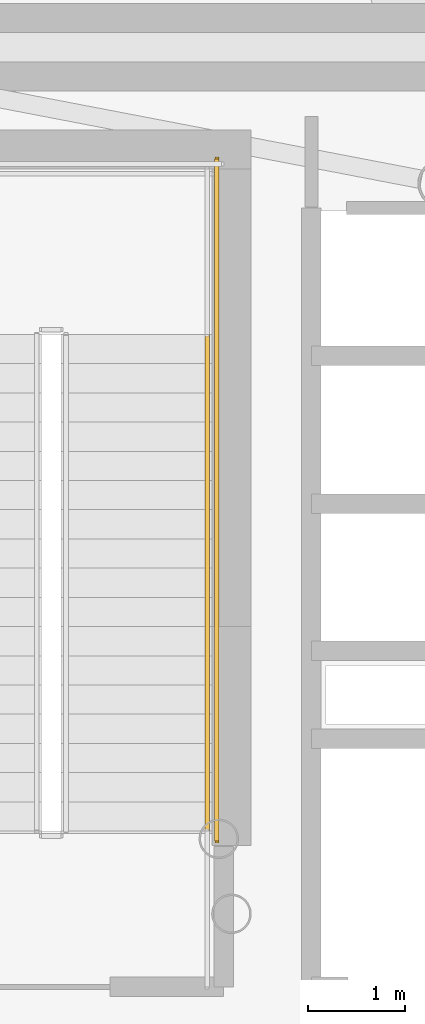
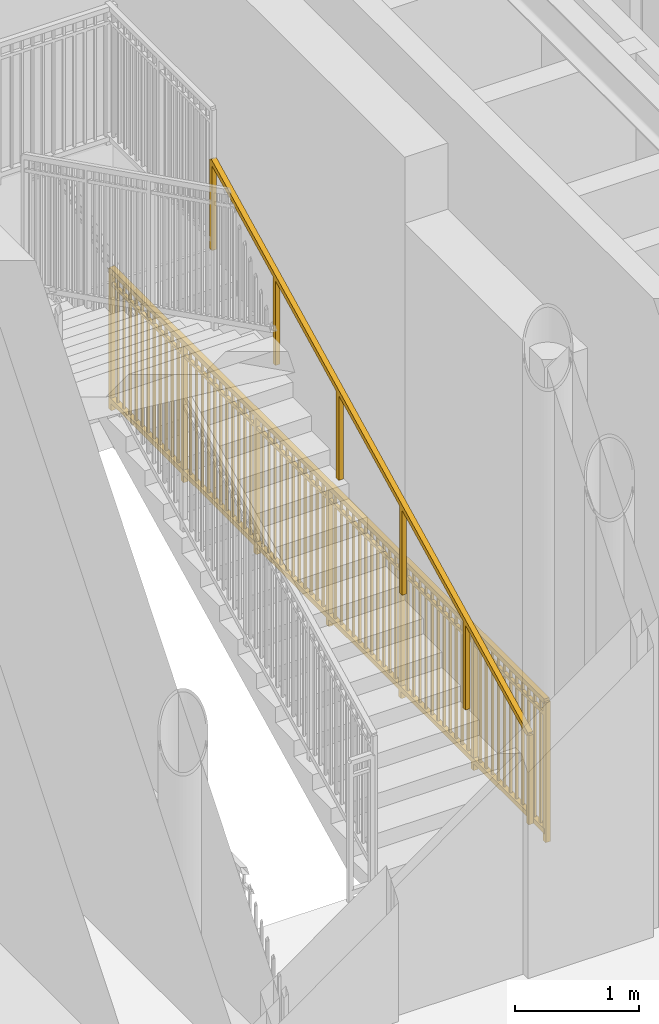
# One storey, part 32 of 39: 2 railings.
"""IFC4 building model written with IfcOpenShell, lengths in metres."""

from ifc_helpers import new_model, si_unit, direction, frame, origin, origin_2d, place, context, subcontext, project, spatial, rectangle, extrude, source, transform, mapped, material, type_object, element, save


model = new_model("IFC4")

# Units and contexts
model_context = context("Model", 3, precision=1e-05, world=origin(), true_north=direction((0.0, 1.0)))
body_context = subcontext(model_context, "Body", "Model", "MODEL_VIEW")
ifc_project = project(units=[si_unit("LENGTHUNIT", "METRE"), si_unit("AREAUNIT", "SQUARE_METRE"), si_unit("VOLUMEUNIT", "CUBIC_METRE"), si_unit("PLANEANGLEUNIT", "RADIAN"), si_unit("MASSUNIT", "GRAM", prefix="KILO")], contexts=[model_context])

# Site, building, storey
site_placement = place(None, origin())
site = spatial("IfcSite", under=ifc_project, at=site_placement, CompositionType="ELEMENT")
building_placement = place(site_placement, origin())
building = spatial("IfcBuilding", under=site, at=building_placement, Name="Linh Dai School and Residence Tower", CompositionType="ELEMENT")
storey_placement = place(building_placement, frame((0.0, 0.0, 27.0)))
storey = spatial("IfcBuildingStorey", under=building, at=storey_placement, Name="L06", CompositionType="ELEMENT", Elevation=27.0)

# Railings
ifc_material_1 = material(Name="Structural Steel S355JR", Category="steel")
railing_type_1 = type_object("IfcRailingType", Name="RL-ST-GUARD-1400", PredefinedType="GUARDRAIL", material=ifc_material_1)
shared_shape_1 = source(origin(), body_context, "Body", "SweptSolid", [
    extrude(rectangle(XDim=0.048095703125, YDim=0.048095703125, at=origin_2d()), frame((0.0, 0.0, 1.3759765625), z_axis=(0.0, 1.0, 0.0), x_axis=(-1.0, 0.0, 0.0)), (0.0, 0.0, 1.0), 7.0),
    extrude(rectangle(XDim=0.048095703125, YDim=0.048095703125, at=origin_2d()), frame((0.0, 0.0, 0.10009765625), z_axis=(0.0, 1.0, 0.0), x_axis=(-1.0, 0.0, 0.0)), (0.0, 0.0, 1.0), 7.0),
    extrude(rectangle(XDim=0.030029296875, YDim=0.030029296875, at=origin_2d()), frame((0.0, 0.0, 1.239990234375), z_axis=(0.0, 1.0, 0.0), x_axis=(-1.0, 0.0, 0.0)), (0.0, 0.0, 1.0), 7.0),
    extrude(rectangle(XDim=0.02001953125, YDim=0.02001953125, at=origin_2d()), frame((0.0, 0.09716796875, 0.10009765625)), (0.0, 0.0, 1.0), 1.251708984375),
    extrude(rectangle(XDim=0.02001953125, YDim=0.02001953125, at=origin_2d()), frame((0.0, 0.1943359375, 0.10009765625)), (0.0, 0.0, 1.0), 1.251708984375),
    extrude(rectangle(XDim=0.02001953125, YDim=0.02001953125, at=origin_2d()), frame((0.0, 0.291748046875, 0.10009765625)), (0.0, 0.0, 1.0), 1.251708984375),
    extrude(rectangle(XDim=0.02001953125, YDim=0.02001953125, at=origin_2d()), frame((0.0, 0.388916015625, 0.10009765625)), (0.0, 0.0, 1.0), 1.251708984375),
    extrude(rectangle(XDim=0.02001953125, YDim=0.02001953125, at=origin_2d()), frame((0.0, 0.486083984375, 0.10009765625)), (0.0, 0.0, 1.0), 1.251708984375),
    extrude(rectangle(XDim=0.02001953125, YDim=0.02001953125, at=origin_2d()), frame((0.0, 0.583251953125, 0.10009765625)), (0.0, 0.0, 1.0), 1.251708984375),
    extrude(rectangle(XDim=0.02001953125, YDim=0.02001953125, at=origin_2d()), frame((0.0, 0.6806640625, 0.10009765625)), (0.0, 0.0, 1.0), 1.251708984375),
    extrude(rectangle(XDim=0.02001953125, YDim=0.02001953125, at=origin_2d()), frame((0.0, 0.77783203125, 0.10009765625)), (0.0, 0.0, 1.0), 1.251708984375),
    extrude(rectangle(XDim=0.02001953125, YDim=0.02001953125, at=origin_2d()), frame((0.0, 0.875, 0.10009765625)), (0.0, 0.0, 1.0), 1.251708984375),
    extrude(rectangle(XDim=0.02001953125, YDim=0.02001953125, at=origin_2d()), frame((0.0, 0.97216796875, 0.10009765625)), (0.0, 0.0, 1.0), 1.251708984375),
    extrude(rectangle(XDim=0.02001953125, YDim=0.02001953125, at=origin_2d()), frame((0.0, 1.0693359375, 0.10009765625)), (0.0, 0.0, 1.0), 1.251708984375),
    extrude(rectangle(XDim=0.02001953125, YDim=0.02001953125, at=origin_2d()), frame((0.0, 1.263916015625, 0.10009765625)), (0.0, 0.0, 1.0), 1.251708984375),
    extrude(rectangle(XDim=0.02001953125, YDim=0.02001953125, at=origin_2d()), frame((0.0, 1.361083984375, 0.10009765625)), (0.0, 0.0, 1.0), 1.251708984375),
    extrude(rectangle(XDim=0.02001953125, YDim=0.02001953125, at=origin_2d()), frame((0.0, 1.458251953125, 0.10009765625)), (0.0, 0.0, 1.0), 1.251708984375),
    extrude(rectangle(XDim=0.02001953125, YDim=0.02001953125, at=origin_2d()), frame((0.0, 1.5556640625, 0.10009765625)), (0.0, 0.0, 1.0), 1.251708984375),
    extrude(rectangle(XDim=0.02001953125, YDim=0.02001953125, at=origin_2d()), frame((0.0, 1.65283203125, 0.10009765625)), (0.0, 0.0, 1.0), 1.251708984375),
    extrude(rectangle(XDim=0.02001953125, YDim=0.02001953125, at=origin_2d()), frame((0.0, 1.75, 0.10009765625)), (0.0, 0.0, 1.0), 1.251708984375),
    extrude(rectangle(XDim=0.02001953125, YDim=0.02001953125, at=origin_2d()), frame((0.0, 1.84716796875, 0.10009765625)), (0.0, 0.0, 1.0), 1.251708984375),
    extrude(rectangle(XDim=0.02001953125, YDim=0.02001953125, at=origin_2d()), frame((0.0, 1.9443359375, 0.10009765625)), (0.0, 0.0, 1.0), 1.251708984375),
    extrude(rectangle(XDim=0.02001953125, YDim=0.02001953125, at=origin_2d()), frame((0.0, 2.041748046875, 0.10009765625)), (0.0, 0.0, 1.0), 1.251708984375),
    extrude(rectangle(XDim=0.02001953125, YDim=0.02001953125, at=origin_2d()), frame((0.0, 2.138916015625, 0.10009765625)), (0.0, 0.0, 1.0), 1.251708984375),
    extrude(rectangle(XDim=0.02001953125, YDim=0.02001953125, at=origin_2d()), frame((0.0, 2.236083984375, 0.10009765625)), (0.0, 0.0, 1.0), 1.251708984375),
    extrude(rectangle(XDim=0.02001953125, YDim=0.02001953125, at=origin_2d()), frame((0.0, 2.4306640625, 0.10009765625)), (0.0, 0.0, 1.0), 1.251708984375),
    extrude(rectangle(XDim=0.02001953125, YDim=0.02001953125, at=origin_2d()), frame((0.0, 2.52783203125, 0.10009765625)), (0.0, 0.0, 1.0), 1.251708984375),
    extrude(rectangle(XDim=0.02001953125, YDim=0.02001953125, at=origin_2d()), frame((0.0, 2.625, 0.10009765625)), (0.0, 0.0, 1.0), 1.251708984375),
    extrude(rectangle(XDim=0.02001953125, YDim=0.02001953125, at=origin_2d()), frame((0.0, 2.72216796875, 0.10009765625)), (0.0, 0.0, 1.0), 1.251708984375),
    extrude(rectangle(XDim=0.02001953125, YDim=0.02001953125, at=origin_2d()), frame((0.0, 2.8193359375, 0.10009765625)), (0.0, 0.0, 1.0), 1.251708984375),
    extrude(rectangle(XDim=0.02001953125, YDim=0.02001953125, at=origin_2d()), frame((0.0, 2.916748046875, 0.10009765625)), (0.0, 0.0, 1.0), 1.251708984375),
    extrude(rectangle(XDim=0.02001953125, YDim=0.02001953125, at=origin_2d()), frame((0.0, 3.013916015625, 0.10009765625)), (0.0, 0.0, 1.0), 1.251708984375),
    extrude(rectangle(XDim=0.02001953125, YDim=0.02001953125, at=origin_2d()), frame((0.0, 3.111083984375, 0.10009765625)), (0.0, 0.0, 1.0), 1.251708984375),
    extrude(rectangle(XDim=0.02001953125, YDim=0.02001953125, at=origin_2d()), frame((0.0, 3.208251953125, 0.10009765625)), (0.0, 0.0, 1.0), 1.251708984375),
    extrude(rectangle(XDim=0.02001953125, YDim=0.02001953125, at=origin_2d()), frame((0.0, 3.3056640625, 0.10009765625)), (0.0, 0.0, 1.0), 1.251708984375),
    extrude(rectangle(XDim=0.02001953125, YDim=0.02001953125, at=origin_2d()), frame((0.0, 3.40283203125, 0.10009765625)), (0.0, 0.0, 1.0), 1.251708984375),
    extrude(rectangle(XDim=0.02001953125, YDim=0.02001953125, at=origin_2d()), frame((0.0, 3.59716796875, 0.10009765625)), (0.0, 0.0, 1.0), 1.251708984375),
    extrude(rectangle(XDim=0.02001953125, YDim=0.02001953125, at=origin_2d()), frame((0.0, 3.6943359375, 0.10009765625)), (0.0, 0.0, 1.0), 1.251708984375),
    extrude(rectangle(XDim=0.02001953125, YDim=0.02001953125, at=origin_2d()), frame((0.0, 3.791748046875, 0.10009765625)), (0.0, 0.0, 1.0), 1.251708984375),
    extrude(rectangle(XDim=0.02001953125, YDim=0.02001953125, at=origin_2d()), frame((0.0, 3.888916015625, 0.10009765625)), (0.0, 0.0, 1.0), 1.251708984375),
    extrude(rectangle(XDim=0.02001953125, YDim=0.02001953125, at=origin_2d()), frame((0.0, 3.986083984375, 0.10009765625)), (0.0, 0.0, 1.0), 1.251708984375),
    extrude(rectangle(XDim=0.02001953125, YDim=0.02001953125, at=origin_2d()), frame((0.0, 4.083251953125, 0.10009765625)), (0.0, 0.0, 1.0), 1.251708984375),
    extrude(rectangle(XDim=0.02001953125, YDim=0.02001953125, at=origin_2d()), frame((0.0, 4.1806640625, 0.10009765625)), (0.0, 0.0, 1.0), 1.251708984375),
    extrude(rectangle(XDim=0.02001953125, YDim=0.02001953125, at=origin_2d()), frame((0.0, 4.27783203125, 0.10009765625)), (0.0, 0.0, 1.0), 1.251708984375),
    extrude(rectangle(XDim=0.02001953125, YDim=0.02001953125, at=origin_2d()), frame((0.0, 4.375, 0.10009765625)), (0.0, 0.0, 1.0), 1.251708984375),
    extrude(rectangle(XDim=0.02001953125, YDim=0.02001953125, at=origin_2d()), frame((0.0, 4.47216796875, 0.10009765625)), (0.0, 0.0, 1.0), 1.251708984375),
    extrude(rectangle(XDim=0.02001953125, YDim=0.02001953125, at=origin_2d()), frame((0.0, 4.5693359375, 0.10009765625)), (0.0, 0.0, 1.0), 1.251708984375),
    extrude(rectangle(XDim=0.02001953125, YDim=0.02001953125, at=origin_2d()), frame((0.0, 4.763916015625, 0.10009765625)), (0.0, 0.0, 1.0), 1.251708984375),
    extrude(rectangle(XDim=0.02001953125, YDim=0.02001953125, at=origin_2d()), frame((0.0, 4.861083984375, 0.10009765625)), (0.0, 0.0, 1.0), 1.251708984375),
    extrude(rectangle(XDim=0.02001953125, YDim=0.02001953125, at=origin_2d()), frame((0.0, 4.958251953125, 0.10009765625)), (0.0, 0.0, 1.0), 1.251708984375),
    extrude(rectangle(XDim=0.02001953125, YDim=0.02001953125, at=origin_2d()), frame((0.0, 5.0556640625, 0.10009765625)), (0.0, 0.0, 1.0), 1.251708984375),
    extrude(rectangle(XDim=0.02001953125, YDim=0.02001953125, at=origin_2d()), frame((0.0, 5.15283203125, 0.10009765625)), (0.0, 0.0, 1.0), 1.251708984375),
    extrude(rectangle(XDim=0.02001953125, YDim=0.02001953125, at=origin_2d()), frame((0.0, 5.25, 0.10009765625)), (0.0, 0.0, 1.0), 1.251708984375),
    extrude(rectangle(XDim=0.02001953125, YDim=0.02001953125, at=origin_2d()), frame((0.0, 5.34716796875, 0.10009765625)), (0.0, 0.0, 1.0), 1.251708984375),
    extrude(rectangle(XDim=0.02001953125, YDim=0.02001953125, at=origin_2d()), frame((0.0, 5.4443359375, 0.10009765625)), (0.0, 0.0, 1.0), 1.251708984375),
    extrude(rectangle(XDim=0.02001953125, YDim=0.02001953125, at=origin_2d()), frame((0.0, 5.541748046875, 0.10009765625)), (0.0, 0.0, 1.0), 1.251708984375),
    extrude(rectangle(XDim=0.02001953125, YDim=0.02001953125, at=origin_2d()), frame((0.0, 5.638916015625, 0.10009765625)), (0.0, 0.0, 1.0), 1.251708984375),
    extrude(rectangle(XDim=0.02001953125, YDim=0.02001953125, at=origin_2d()), frame((0.0, 5.736083984375, 0.10009765625)), (0.0, 0.0, 1.0), 1.251708984375),
    extrude(rectangle(XDim=0.02001953125, YDim=0.02001953125, at=origin_2d()), frame((0.0, 5.9306640625, 0.10009765625)), (0.0, 0.0, 1.0), 1.251708984375),
    extrude(rectangle(XDim=0.02001953125, YDim=0.02001953125, at=origin_2d()), frame((0.0, 6.02783203125, 0.10009765625)), (0.0, 0.0, 1.0), 1.251708984375),
    extrude(rectangle(XDim=0.02001953125, YDim=0.02001953125, at=origin_2d()), frame((0.0, 6.125, 0.10009765625)), (0.0, 0.0, 1.0), 1.251708984375),
    extrude(rectangle(XDim=0.02001953125, YDim=0.02001953125, at=origin_2d()), frame((0.0, 6.22216796875, 0.10009765625)), (0.0, 0.0, 1.0), 1.251708984375),
    extrude(rectangle(XDim=0.02001953125, YDim=0.02001953125, at=origin_2d()), frame((0.0, 6.3193359375, 0.10009765625)), (0.0, 0.0, 1.0), 1.251708984375),
    extrude(rectangle(XDim=0.02001953125, YDim=0.02001953125, at=origin_2d()), frame((0.0, 6.416748046875, 0.10009765625)), (0.0, 0.0, 1.0), 1.251708984375),
    extrude(rectangle(XDim=0.02001953125, YDim=0.02001953125, at=origin_2d()), frame((0.0, 6.513916015625, 0.10009765625)), (0.0, 0.0, 1.0), 1.251708984375),
    extrude(rectangle(XDim=0.02001953125, YDim=0.02001953125, at=origin_2d()), frame((0.0, 6.611083984375, 0.10009765625)), (0.0, 0.0, 1.0), 1.251708984375),
    extrude(rectangle(XDim=0.02001953125, YDim=0.02001953125, at=origin_2d()), frame((0.0, 6.708251953125, 0.10009765625)), (0.0, 0.0, 1.0), 1.251708984375),
    extrude(rectangle(XDim=0.02001953125, YDim=0.02001953125, at=origin_2d()), frame((0.0, 6.8056640625, 0.10009765625)), (0.0, 0.0, 1.0), 1.251708984375),
    extrude(rectangle(XDim=0.02001953125, YDim=0.02001953125, at=origin_2d()), frame((0.0, 6.90283203125, 0.10009765625)), (0.0, 0.0, 1.0), 1.251708984375),
    extrude(rectangle(XDim=0.0419921875, YDim=0.0419921875, at=origin_2d()), origin(), (0.0, 0.0, 1.0), 1.3759765625),
    extrude(rectangle(XDim=0.0419921875, YDim=0.0419921875, at=origin_2d()), frame((0.0, 1.166748046875, 0.0)), (0.0, 0.0, 1.0), 1.3759765625),
    extrude(rectangle(XDim=0.0419921875, YDim=0.0419921875, at=origin_2d()), frame((0.0, 2.333251953125, 0.0)), (0.0, 0.0, 1.0), 1.3759765625),
    extrude(rectangle(XDim=0.0419921875, YDim=0.0419921875, at=origin_2d()), frame((0.0, 3.5, 0.0)), (0.0, 0.0, 1.0), 1.3759765625),
    extrude(rectangle(XDim=0.0419921875, YDim=0.0419921875, at=origin_2d()), frame((0.0, 4.666748046875, 0.0)), (0.0, 0.0, 1.0), 1.3759765625),
    extrude(rectangle(XDim=0.0419921875, YDim=0.0419921875, at=origin_2d()), frame((0.0, 5.833251953125, 0.0)), (0.0, 0.0, 1.0), 1.3759765625),
    extrude(rectangle(XDim=0.0419921875, YDim=0.0419921875, at=origin_2d()), frame((0.0, 7.0, 0.0)), (0.0, 0.0, 1.0), 1.3759765625),
])
railing_1_placement = place(storey_placement, frame((31.030029296875, 25.60009765625, 0.0)))
element("IfcRailing", 1, at=railing_1_placement, inside=storey, type_object=railing_type_1, Name="L06 ST1 stair guard 10", PredefinedType="GUARDRAIL", context=body_context, shape_type="MappedRepresentation", body=[
    mapped(shared_shape_1, transform((0.0, 0.0, 0.0), x_axis=(1.0, 0.0, 0.0), y_axis=(0.0, 1.0, 0.0), z_axis=(0.0, 0.0, 1.0), scale=1.0)),
])
ifc_material_2 = material(Name="Brushed Stainless Steel Handrail", Category="steel")
railing_type_2 = type_object("IfcRailingType", Name="RL-ST-HANDRAIL-900", PredefinedType="HANDRAIL", material=ifc_material_2)
shared_shape_2 = source(origin(), body_context, "Body", "SweptSolid", [
    extrude(rectangle(XDim=0.048095703125, YDim=0.048095703125, at=origin_2d()), frame((0.0, 0.0, 0.8759765625), z_axis=(0.0, 0.894427191, 0.4472135955), x_axis=(-1.0, 0.0, 0.0)), (0.0, 0.0, 1.0), 5.7021484375),
    extrude(rectangle(XDim=0.0419921875, YDim=0.0419921875, at=origin_2d()), origin(), (0.0, 0.0, 1.0), 0.8759765625),
    extrude(rectangle(XDim=0.0419921875, YDim=0.0419921875, at=origin_2d()), frame((0.0, 1.02001953125, 0.510009765625)), (0.0, 0.0, 1.0), 0.8759765625),
    extrude(rectangle(XDim=0.0419921875, YDim=0.0419921875, at=origin_2d()), frame((0.0, 2.0400390625, 1.02001953125)), (0.0, 0.0, 1.0), 0.8759765625),
    extrude(rectangle(XDim=0.0419921875, YDim=0.0419921875, at=origin_2d()), frame((0.0, 3.06005859375, 1.530029296875)), (0.0, 0.0, 1.0), 0.8759765625),
    extrude(rectangle(XDim=0.0419921875, YDim=0.0419921875, at=origin_2d()), frame((0.0, 4.080078125, 2.0400390625)), (0.0, 0.0, 1.0), 0.8759765625),
    extrude(rectangle(XDim=0.0419921875, YDim=0.0419921875, at=origin_2d()), frame((0.0, 5.10009765625, 2.550048828125)), (0.0, 0.0, 1.0), 0.8759765625),
])
railing_2_placement = place(storey_placement, frame((30.929931640625, 25.699951171875, 0.14990234375)))
element("IfcRailing", 2, at=railing_2_placement, inside=storey, type_object=railing_type_2, Name="L06 ST1 stair handrail 1", PredefinedType="HANDRAIL", context=body_context, shape_type="MappedRepresentation", body=[
    mapped(shared_shape_2, transform((0.0, 0.0, 0.0), x_axis=(1.0, 0.0, 0.0), y_axis=(0.0, 1.0, 0.0), z_axis=(0.0, 0.0, 1.0), scale=1.0)),
])

save(model, "model.ifc")
